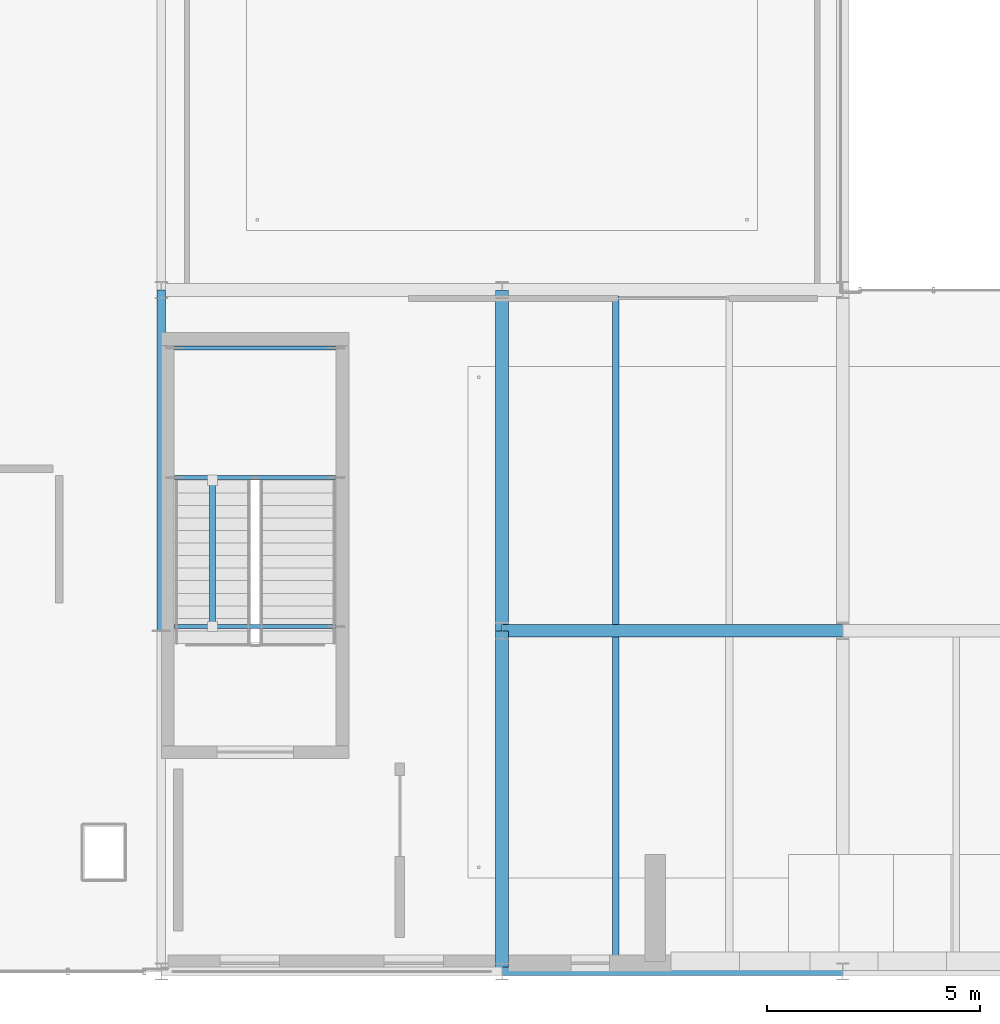
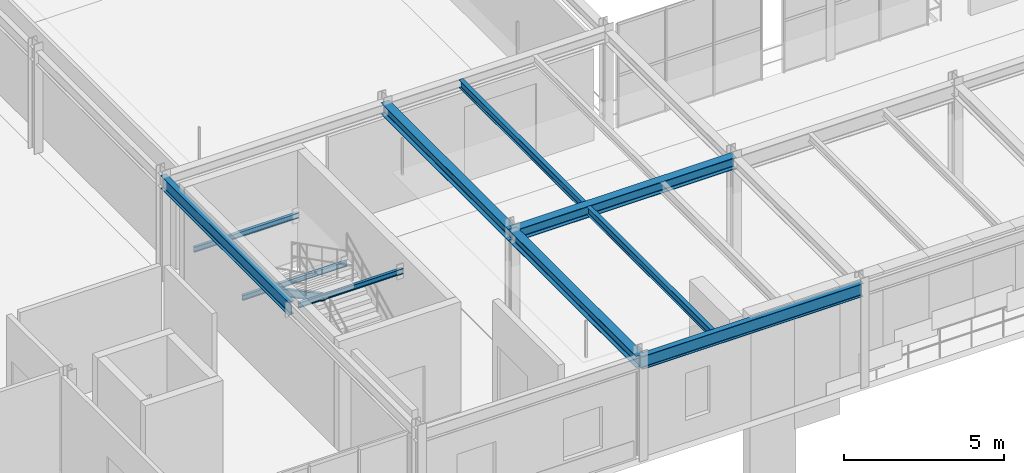
# One storey, part 17 of 67: 10 beams, 1 member.
"""IFC4 building model written with IfcOpenShell, lengths in metres."""

from ifc_helpers import new_model, si_unit, direction, frame, origin, origin_2d, place, context, subcontext, project, spatial, i_section, extrude, material, material_profile, profile_set, type_object, element, save


model = new_model("IFC4")

# Units and contexts
model_context = context("Model", 3, precision=1e-05, world=origin(), true_north=direction((0.0, 1.0)))
body_context = subcontext(model_context, "Body", "Model", "MODEL_VIEW")
ifc_project = project(units=[si_unit("LENGTHUNIT", "METRE"), si_unit("AREAUNIT", "SQUARE_METRE"), si_unit("VOLUMEUNIT", "CUBIC_METRE"), si_unit("PLANEANGLEUNIT", "RADIAN"), si_unit("MASSUNIT", "GRAM", prefix="KILO")], contexts=[model_context])

# Site, building, storey
site_placement = place(None, origin())
site = spatial("IfcSite", under=ifc_project, at=site_placement, CompositionType="ELEMENT")
building_placement = place(site_placement, origin())
building = spatial("IfcBuilding", under=site, at=building_placement, Name="Sundkrona Museum", CompositionType="ELEMENT")
storey_placement = place(building_placement, frame((0.0, 0.0, 21.800048828125)))
storey = spatial("IfcBuildingStorey", under=building, at=storey_placement, Name="L04", CompositionType="ELEMENT", Elevation=21.800048828125)

# Beams
ifc_material = material(Name="Steel S355J2", Category="steel")
ifc_material_profile_1 = material_profile(ifc_material, i_section(OverallWidth=0.300048828125, OverallDepth=0.43994140625, WebThickness=0.011474609375, FlangeThickness=0.02099609375, FilletRadius=0.027099609375, at=origin_2d()), Name="HEA 450")
ifc_profile_set_1 = profile_set([ifc_material_profile_1], Name="Steel S355J2")
beam_type_1 = type_object("IfcBeamType", Name="B-HEA450", PredefinedType="BEAM", material=ifc_profile_set_1)
for number, where, z_axis, x_axis, name in (
    (1, (128.0, 8.0, 3.699951171875), (1.0, 0.0, 0.0), (0.0, 1.0, 0.0), "L04 Girder X-1709"),
    (2, (128.0, 0.0, 3.699951171875), (0.0, 1.0, 0.0), (-1.0, 0.0, 0.0), "L04 Girder Y-1744"),
    (3, (128.0, 8.0, 3.699951171875), (0.0, 1.0, 0.0), (-1.0, 0.0, 0.0), "L04 Girder Y-1745"),
):
    element("IfcBeam", number, at=place(storey_placement, frame(where, z_axis=z_axis, x_axis=x_axis)), inside=storey, type_object=beam_type_1, Name=name, PredefinedType="BEAM", context=body_context, shape_type="SweptSolid", body=[
        extrude(i_section(OverallWidth=0.300048828125, OverallDepth=0.43994140625, WebThickness=0.011474609375, FlangeThickness=0.02099609375, FilletRadius=0.027099609375, at=origin_2d()), origin(), (0.0, 0.0, 1.0), 8.0),
    ])

# Member
ifc_material_profile_2 = material_profile(ifc_material, i_section(OverallWidth=0.135009765625, OverallDepth=0.27001953125, WebThickness=0.006591796875, FlangeThickness=0.01025390625, FilletRadius=0.014892578125, at=origin_2d()), Name="IPE 270")
ifc_profile_set_2 = profile_set([ifc_material_profile_2], Name="Steel S355J2")
member_type = type_object("IfcMemberType", Name="BR-IPE270", PredefinedType="BRACE", material=ifc_profile_set_2)
member_placement = place(storey_placement, frame((121.199951171875, 11.534912109375, 1.780029296875), z_axis=(0.0, -0.882182779908, 0.470907148846), x_axis=(1.0, 0.0, 0.0)))
element("IfcMember", 4, at=member_placement, inside=storey, type_object=member_type, Name="SRK-1 L04 ST-2 Flight 2 Inclined Carriage Raker", PredefinedType="BRACE", context=body_context, shape_type="SweptSolid", body=[
    extrude(i_section(OverallWidth=0.135009765625, OverallDepth=0.27001953125, WebThickness=0.006591796875, FlangeThickness=0.01025390625, FilletRadius=0.014892578125, at=origin_2d()), origin(), (0.0, 0.0, 1.0), 3.8935546875),
])

# Beams
ifc_material_profile_3 = material_profile(ifc_material, i_section(OverallWidth=0.10009765625, OverallDepth=0.199951171875, WebThickness=0.005615234375, FlangeThickness=0.008544921875, FilletRadius=0.011962890625, at=origin_2d()), Name="IPE 200")
ifc_profile_set_3 = profile_set([ifc_material_profile_3], Name="Steel S355J2")
beam_type_2 = type_object("IfcBeamType", Name="J-IPE200", PredefinedType="JOIST", material=ifc_profile_set_3)
for number, where, z_axis, x_axis, name in (
    (5, (120.31005859375, 11.598388671875, 1.780029296875), (1.0, 0.0, 0.0), (0.0, 1.0, 0.0), "L04 ST-2 Mid-Landing Trimmer Beam 1A"),
    (6, (120.31005859375, 14.63671875, 1.780029296875), (1.0, 0.0, 0.0), (0.0, 1.0, 0.0), "L04 ST-2 Mid-Landing Trimmer Beam 1B"),
    (7, (120.31005859375, 8.10009765625, 3.613525390625), (1.0, 0.0, 0.0), (0.0, 1.0, 0.0), "L04 ST-2 Flight 2 Arrival Header Beam"),
):
    element("IfcBeam", number, at=place(storey_placement, frame(where, z_axis=z_axis, x_axis=x_axis)), inside=storey, type_object=beam_type_2, Name=name, PredefinedType="JOIST", context=body_context, shape_type="SweptSolid", body=[
        extrude(i_section(OverallWidth=0.10009765625, OverallDepth=0.199951171875, WebThickness=0.005615234375, FlangeThickness=0.008544921875, FilletRadius=0.011962890625, at=origin_2d()), origin(), (0.0, 0.0, 1.0), 3.780029296875),
    ])
ifc_material_profile_4 = material_profile(ifc_material, i_section(OverallWidth=0.14990234375, OverallDepth=0.300048828125, WebThickness=0.007080078125, FlangeThickness=0.0107421875, FilletRadius=0.014892578125, at=origin_2d()), Name="IPE 300")
ifc_profile_set_4 = profile_set([ifc_material_profile_4], Name="Steel S355J2")
beam_type_3 = type_object("IfcBeamType", Name="J-IPE300", PredefinedType="JOIST", material=ifc_profile_set_4)
beam_1_placement = place(storey_placement, frame((130.666748046875, 0.093994140625, 3.77001953125), z_axis=(0.0, 1.0, 0.0), x_axis=(-1.0, 0.0, 0.0)))
element("IfcBeam", 8, at=beam_1_placement, inside=storey, type_object=beam_type_3, Name="L04 Composite Joist 1189", PredefinedType="JOIST", context=body_context, shape_type="SweptSolid", body=[
    extrude(i_section(OverallWidth=0.14990234375, OverallDepth=0.300048828125, WebThickness=0.007080078125, FlangeThickness=0.0107421875, FilletRadius=0.014892578125, at=origin_2d()), origin(), (0.0, 0.0, 1.0), 7.761962890625),
])
beam_2_placement = place(storey_placement, frame((130.666748046875, 8.14404296875, 3.77001953125), z_axis=(0.0, 1.0, 0.0), x_axis=(-1.0, 0.0, 0.0)))
element("IfcBeam", 9, at=beam_2_placement, inside=storey, type_object=beam_type_3, Name="L04 Composite Joist 1191", PredefinedType="JOIST", context=body_context, shape_type="SweptSolid", body=[
    extrude(i_section(OverallWidth=0.14990234375, OverallDepth=0.300048828125, WebThickness=0.007080078125, FlangeThickness=0.0107421875, FilletRadius=0.014892578125, at=origin_2d()), origin(), (0.0, 0.0, 1.0), 7.7119140625),
])
ifc_material_profile_5 = material_profile(ifc_material, i_section(OverallWidth=0.199951171875, OverallDepth=0.5, WebThickness=0.01025390625, FlangeThickness=0.01611328125, FilletRadius=0.02099609375, at=origin_2d()), Name="IPE 500")
ifc_profile_set_5 = profile_set([ifc_material_profile_5], Name="Steel S355J2")
beam_type_4 = type_object("IfcBeamType", Name="SP-IPE500", PredefinedType="SPANDREL", material=ifc_profile_set_5)
for number, where, z_axis, x_axis, name in (
    (10, (128.0, 0.0, 3.669921875), (1.0, 0.0, 0.0), (0.0, 1.0, 0.0), "L04 Girder X-1704"),
    (11, (120.0, 8.0, 3.669921875), (0.0, 1.0, 0.0), (-1.0, 0.0, 0.0), "L04 Girder Y-1739"),
):
    element("IfcBeam", number, at=place(storey_placement, frame(where, z_axis=z_axis, x_axis=x_axis)), inside=storey, type_object=beam_type_4, Name=name, PredefinedType="SPANDREL", context=body_context, shape_type="SweptSolid", body=[
        extrude(i_section(OverallWidth=0.199951171875, OverallDepth=0.5, WebThickness=0.01025390625, FlangeThickness=0.01611328125, FilletRadius=0.02099609375, at=origin_2d()), origin(), (0.0, 0.0, 1.0), 8.0),
    ])

save(model, "model.ifc")
